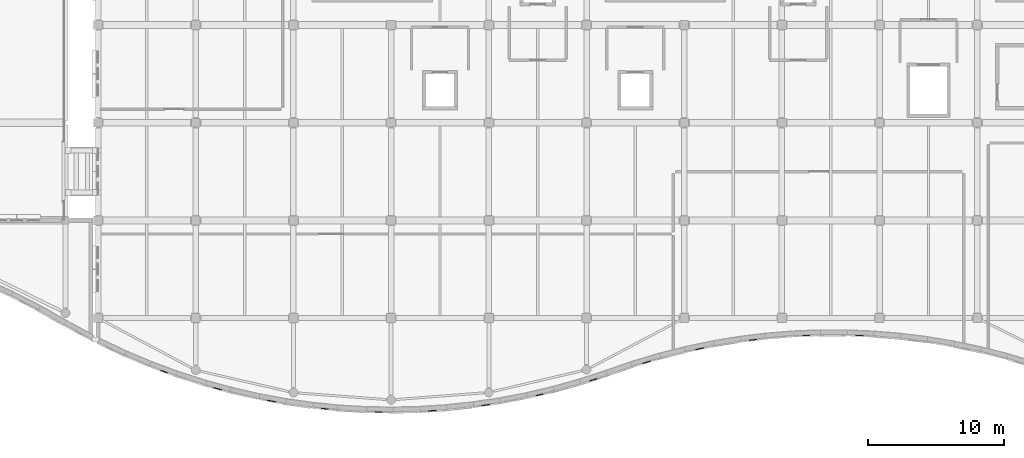
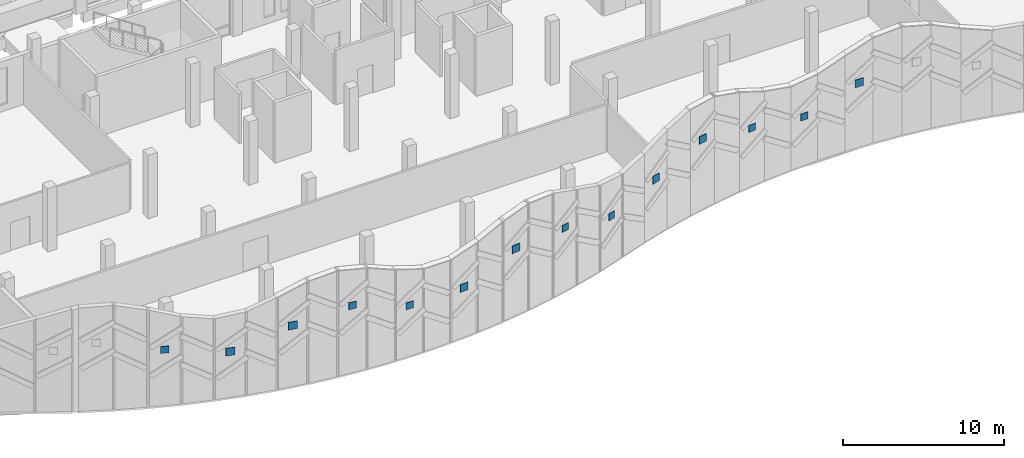
# One storey, part 74 of 116: 14 plates.
"""IFC4 building model written with IfcOpenShell, lengths in metres."""

from ifc_helpers import new_model, si_unit, direction, frame, origin, origin_2d, place, context, subcontext, project, spatial, rectangle, extrude, material, layer, layer_set, type_object, element, save


model = new_model("IFC4")

# Units and contexts
model_context = context("Model", 3, precision=1e-05, world=origin(), true_north=direction((0.0, 1.0)))
body_context = subcontext(model_context, "Body", "Model", "MODEL_VIEW")
ifc_project = project(units=[si_unit("LENGTHUNIT", "METRE"), si_unit("AREAUNIT", "SQUARE_METRE"), si_unit("VOLUMEUNIT", "CUBIC_METRE"), si_unit("PLANEANGLEUNIT", "RADIAN"), si_unit("MASSUNIT", "GRAM", prefix="KILO")], contexts=[model_context])

# Site, building, storey
site_placement = place(None, origin())
site = spatial("IfcSite", under=ifc_project, at=site_placement, CompositionType="ELEMENT")
building_placement = place(site_placement, origin())
building = spatial("IfcBuilding", under=site, at=building_placement, Name="Cendralis Lancet Convention Centre", CompositionType="ELEMENT")
storey_placement = place(building_placement, frame((0.0, 0.0, 15.0)))
storey = spatial("IfcBuildingStorey", under=building, at=storey_placement, Name="L03", CompositionType="ELEMENT", Elevation=15.0)

# Plates
ifc_material_1 = material(Name="Warm buff sandstone chevron cassette", Category="masonry")
ifc_layer_1 = layer(ifc_material_1, 0.044921875, Name="Warm buff sandstone chevron cassette")
ifc_layer_set_1 = layer_set([ifc_layer_1], Name="Warm buff sandstone chevron cassette")
plate_type_1 = type_object("IfcPlateType", Name="ARC-PL-CHV1", PredefinedType="SHEET", material=ifc_layer_set_1)
for number, where, z_axis, x_axis, name in (
    (1, (140.8125, 1.990478515625, 3.199951171875), (0.0, 0.0, 1.0), (0.964391431746, -0.264479047139, 0.0), "Chevron Keystone Cassette CHV-S1 #0108"),
    (2, (156.627197265625, 0.373291015625, 3.51904296875), (0.0, 0.0, 1.0), (0.997959312839, 0.063853033741, 0.0), "Chevron Keystone Cassette CHV-S1 #0120"),
    (3, (172.422607421875, 3.94384765625, 4.0400390625), (0.0, 0.0, 1.0), (0.957917734536, 0.287042878088, 0.0), "Chevron Keystone Cassette CHV-S1 #0132"),
    (4, (188.115234375, 5.914306640625, 4.614013671875), (0.0, 0.0, 1.0), (0.99913448503, -0.041596644372, 0.0), "Chevron Keystone Cassette CHV-S1 #0144"),
):
    element("IfcPlate", number, at=place(storey_placement, frame(where, z_axis=z_axis, x_axis=x_axis)), inside=storey, type_object=plate_type_1, Name=name, PredefinedType="SHEET", context=body_context, shape_type="SweptSolid", body=[
        extrude(rectangle(XDim=0.580078125, YDim=0.044921875, at=origin_2d()), origin(), (0.0, 0.0, 1.0), 0.580078125),
    ])
ifc_material_2 = material(Name="Dark Andean slate chevron cassette", Category="masonry")
ifc_layer_2 = layer(ifc_material_2, 0.048095703125, Name="Dark Andean slate chevron cassette")
ifc_layer_set_2 = layer_set([ifc_layer_2], Name="Dark Andean slate chevron cassette")
plate_type_2 = type_object("IfcPlateType", Name="ARC-PL-CHV2", PredefinedType="SHEET", material=ifc_layer_set_2)
for number, where, z_axis, x_axis, name in (
    (5, (144.76611328125, 1.0830078125, 4.343017578125), (0.0, 0.0, 1.0), (0.983175298719, -0.182664534019, 0.0), "Chevron Keystone Cassette CHV-D1 #0111"),
    (6, (160.58056640625, 0.791015625, 4.821044921875), (0.0, 0.0, 1.0), (0.989328351891, 0.145703164496, 0.0), "Chevron Keystone Cassette CHV-D1 #0123"),
    (7, (176.345458984375, 4.94091796875, 5.06689453125), (0.0, 0.0, 1.0), (0.978803096128, 0.204803562005, 0.0), "Chevron Keystone Cassette CHV-D1 #0135"),
):
    element("IfcPlate", number, at=place(storey_placement, frame(where, z_axis=z_axis, x_axis=x_axis)), inside=storey, type_object=plate_type_2, Name=name, PredefinedType="SHEET", context=body_context, shape_type="SweptSolid", body=[
        extrude(rectangle(XDim=0.580078125, YDim=0.048095703125, at=origin_2d()), origin(), (0.0, 0.0, 1.0), 0.580078125),
    ])
ifc_layer_3 = layer(ifc_material_1, 0.044921875, Name="Warm buff sandstone chevron cassette")
ifc_layer_set_3 = layer_set([ifc_layer_3], Name="Warm buff sandstone chevron cassette")
plate_type_3 = type_object("IfcPlateType", Name="ARC-PL-CHV3", PredefinedType="SHEET", material=ifc_layer_set_3)
for number, where, z_axis, x_axis, name in (
    (8, (148.719970703125, 0.517822265625, 4.85009765625), (0.0, 0.0, 1.0), (0.994982497445, -0.100049136823, 0.0), "Chevron Keystone Cassette CHV-S2 #0114"),
    (9, (164.53466796875, 1.54443359375, 4.5810546875), (0.0, 0.0, 1.0), (0.973670490342, 0.227960032103, 0.0), "Chevron Keystone Cassette CHV-S2 #0126"),
    (10, (180.269287109375, 5.593017578125, 4.178955078125), (0.0, 0.0, 1.0), (0.992471520713, 0.122475632571, 0.0), "Chevron Keystone Cassette CHV-S2 #0138"),
):
    element("IfcPlate", number, at=place(storey_placement, frame(where, z_axis=z_axis, x_axis=x_axis)), inside=storey, type_object=plate_type_3, Name=name, PredefinedType="SHEET", context=body_context, shape_type="SweptSolid", body=[
        extrude(rectangle(XDim=0.52001953125, YDim=0.044921875, at=origin_2d()), origin(), (0.0, 0.0, 1.0), 0.52001953125),
    ])
ifc_layer_4 = layer(ifc_material_2, 0.048095703125, Name="Dark Andean slate chevron cassette")
ifc_layer_set_4 = layer_set([ifc_layer_4], Name="Dark Andean slate chevron cassette")
plate_type_4 = type_object("IfcPlateType", Name="ARC-PL-CHV4", PredefinedType="SHEET", material=ifc_layer_set_4)
for number, where, z_axis, x_axis, name in (
    (11, (136.85888671875, 3.260986328125, 3.99609375), (0.0, 0.0, 1.0), (0.938155085485, -0.346215302346, 0.0), "Chevron Keystone Cassette CHV-D2 #0105"),
    (12, (152.673583984375, 0.282958984375, 3.614990234375), (0.0, 0.0, 1.0), (0.999833042467, -0.018272580285, 0.0), "Chevron Keystone Cassette CHV-D2 #0117"),
    (13, (168.48779296875, 2.650146484375, 3.406005859375), (0.0, 0.0, 1.0), (0.950737803638, 0.309996175353, 0.0), "Chevron Keystone Cassette CHV-D2 #0129"),
    (14, (184.19189453125, 5.915283203125, 3.468994140625), (0.0, 0.0, 1.0), (0.99917537251, 0.040602647325, 0.0), "Chevron Keystone Cassette CHV-D2 #0141"),
):
    element("IfcPlate", number, at=place(storey_placement, frame(where, z_axis=z_axis, x_axis=x_axis)), inside=storey, type_object=plate_type_4, Name=name, PredefinedType="SHEET", context=body_context, shape_type="SweptSolid", body=[
        extrude(rectangle(XDim=0.52001953125, YDim=0.048095703125, at=origin_2d()), origin(), (0.0, 0.0, 1.0), 0.52001953125),
    ])

save(model, "model.ifc")
